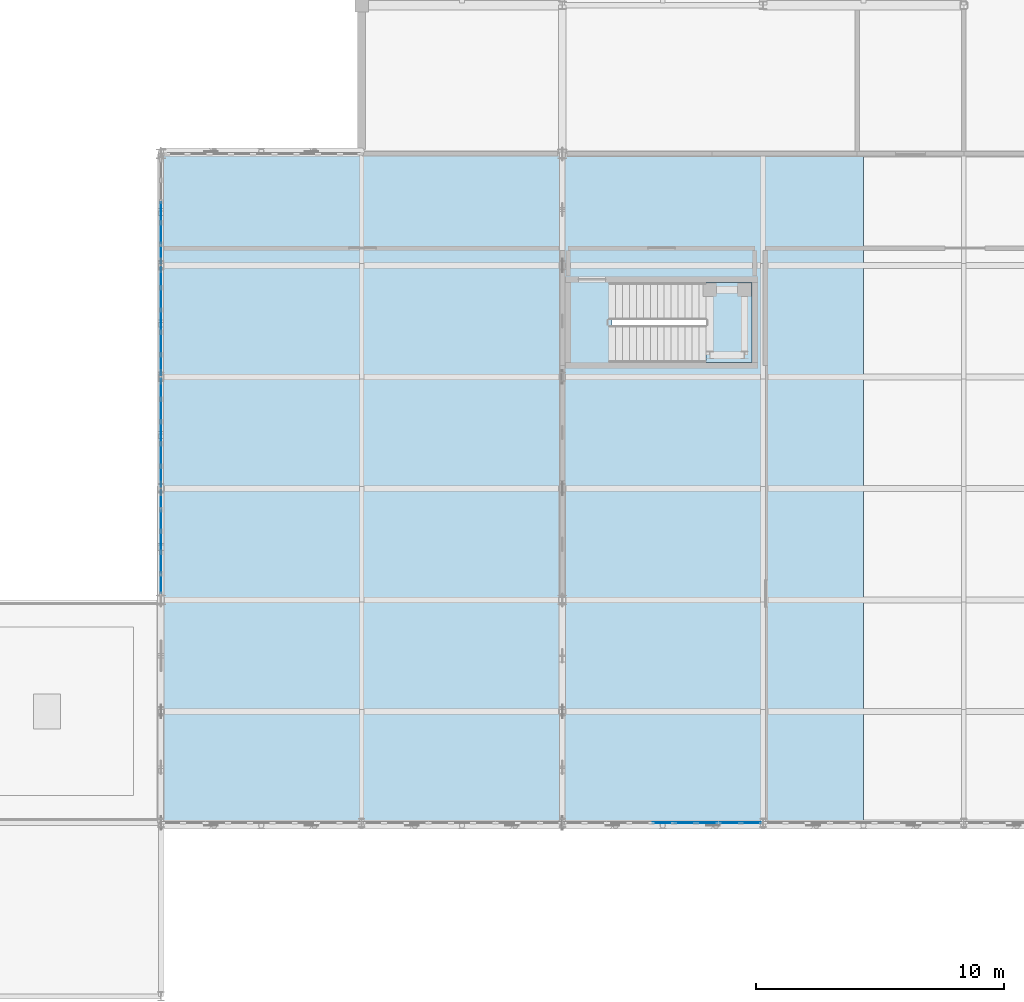
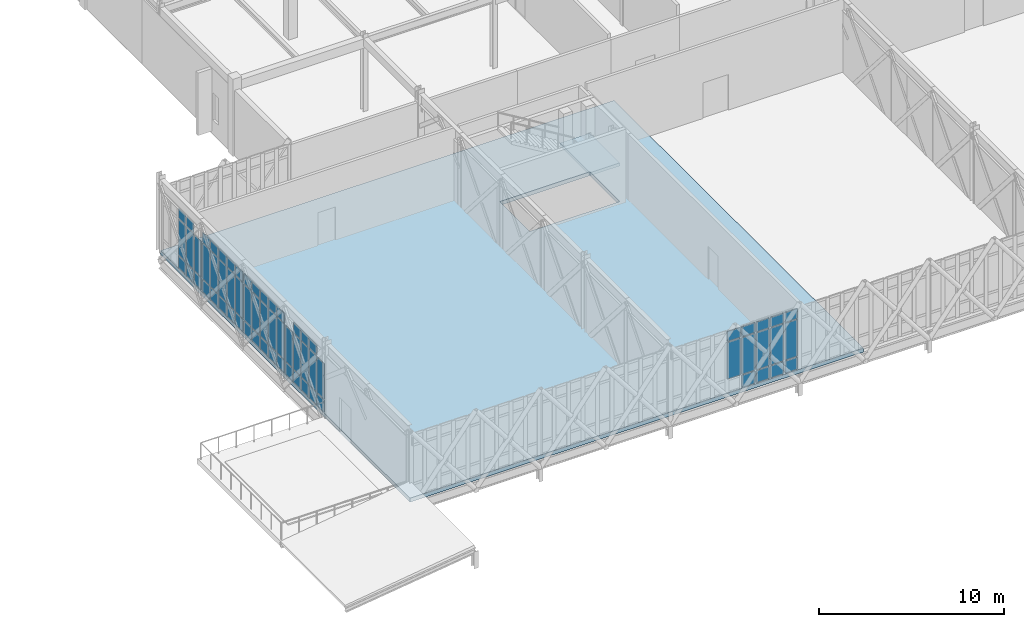
# One storey, part 65 of 107: 65 plates, 2 slabs, 6 elements without a shape of their own.
"""IFC4 building model written with IfcOpenShell, lengths in metres."""

import ifcopenshell
import ifcopenshell.guid

model = None  # the IFC model being written
_history = None  # IfcOwnerHistory: only IFC2X3 demands one
_inside = {}  # id of a spatial element -> (the spatial element, [elements in it])
_under = {}  # id of a project, library or spatial element -> (it, [spatial elements below it])
_declared = {}  # id of a project -> (the project, [libraries it declares])
_typed = {}  # id of a type object -> (the type object, [elements of that type])
_made_of = {}  # id of a material, layer set ... -> (it, [elements and type objects made of it])


def new_model(schema):
    """Start an empty IFC model of exactly this schema.

    Asked for "IFC4X3", IfcOpenShell would pick the latest addendum, in which some entities
    have other attributes; the version numbers below select the first issue.
    IFC2X3 requires an IfcOwnerHistory on every rooted entity: one is made here for all.
    """
    global model, _history
    if schema == "IFC4X3":
        model = ifcopenshell.file(schema_version=(4, 3, 0, 0))
    else:
        model = ifcopenshell.file(schema=schema)
    _inside.clear()
    _under.clear()
    _declared.clear()
    _typed.clear()
    _made_of.clear()
    _history = None
    if model.schema == "IFC2X3":
        org = make("IfcOrganization", Name="unknown")
        user = make(
            "IfcPersonAndOrganization",
            ThePerson=make("IfcPerson", FamilyName="unknown"),
            TheOrganization=org,
        )
        app = make(
            "IfcApplication",
            ApplicationDeveloper=org,
            Version="unknown",
            ApplicationFullName="unknown",
            ApplicationIdentifier="unknown",
        )
        _history = make(
            "IfcOwnerHistory",
            OwningUser=user,
            OwningApplication=app,
            ChangeAction="ADDED",
            CreationDate=0,
        )
    return model


def make(cls, **values):
    """One entity of the class cls with the attributes given. An attribute that is None is left unset."""
    return model.create_entity(
        cls, **{name: value for name, value in values.items() if value is not None}
    )


def rooted(cls, **values):
    """An entity with a GlobalId (a new one), such as an element, a storey or a relation."""
    return make(cls, GlobalId=ifcopenshell.guid.new(), OwnerHistory=_history, **values)


def si_unit(unit_type, name, prefix=None):
    """IfcSIUnit, for example si_unit("LENGTHUNIT", "METRE", prefix="MILLI")."""
    return make("IfcSIUnit", UnitType=unit_type, Prefix=prefix, Name=name)


def assignment(units):
    """IfcUnitAssignment: the units of a project."""
    return None if units is None else make("IfcUnitAssignment", Units=units)


def point(xyz):
    """IfcCartesianPoint."""
    return None if xyz is None else make("IfcCartesianPoint", Coordinates=xyz)


def direction(xyz):
    """IfcDirection."""
    return None if xyz is None else make("IfcDirection", DirectionRatios=xyz)


def frame(location, z_axis=None, x_axis=None):
    """IfcAxis2Placement3D, a coordinate frame: its origin and axes. An axis left out is left unset."""
    return make(
        "IfcAxis2Placement3D",
        Location=point(location),
        Axis=direction(z_axis),
        RefDirection=direction(x_axis),
    )


def frame_2d(location, x_axis=None):
    """IfcAxis2Placement2D, a coordinate frame in the plane: its origin and x axis."""
    return make(
        "IfcAxis2Placement2D", Location=point(location), RefDirection=direction(x_axis)
    )


def origin():
    """The frame at (0, 0, 0) with its axes left unset."""
    return frame((0.0, 0.0, 0.0))


def origin_2d():
    """The frame at (0, 0) in the plane with its x axis left unset."""
    return frame_2d((0.0, 0.0))


def place(relative_to, where):
    """IfcLocalPlacement: puts the frame where relative to a parent placement (None: the world)."""
    return make(
        "IfcLocalPlacement", PlacementRelTo=relative_to, RelativePlacement=where
    )


def context(
    kind, dimensions, precision=None, world=None, true_north=None, identifier=None
):
    """IfcGeometricRepresentationContext, for example the 3D "Model" context."""
    return make(
        "IfcGeometricRepresentationContext",
        ContextIdentifier=identifier,
        ContextType=kind,
        CoordinateSpaceDimension=dimensions,
        Precision=precision,
        WorldCoordinateSystem=world,
        TrueNorth=true_north,
    )


def subcontext(parent, identifier, kind, view, scale=None):
    """IfcGeometricRepresentationSubContext, for example "Body" below "Model"."""
    return make(
        "IfcGeometricRepresentationSubContext",
        ContextIdentifier=identifier,
        ContextType=kind,
        ParentContext=parent,
        TargetScale=scale,
        TargetView=view,
    )


def project(units=None, contexts=None):
    """IfcProject with its units and contexts."""
    return rooted(
        "IfcProject",
        Name="project",
        RepresentationContexts=contexts,
        UnitsInContext=assignment(units),
    )


def spatial(cls, under=None, at=None, **own):
    """A site, building, storey or space (cls), placed at a placement, below another one or the project."""
    s = rooted(cls, ObjectPlacement=at, **own)
    if under is not None:
        _under.setdefault(under.id(), (under, []))[1].append(s)
    return s


def polyline(points):
    """IfcPolyline through the points."""
    return make("IfcPolyline", Points=[point(p) for p in points])


def profile(cls, at=None, kind="AREA", **sizes):
    """A parametric profile (cls). Its sizes go by their IFC names, for example OverallWidth=200.0."""
    return make(cls, ProfileType=kind, Position=at, **sizes)


def rectangle(**sizes):
    """IfcRectangleProfileDef."""
    return profile("IfcRectangleProfileDef", **sizes)


def outline(outer, holes=None, kind="AREA"):
    """IfcArbitraryClosedProfileDef: a profile drawn as a closed curve; with holes, ...WithVoids."""
    if holes is None:
        return make("IfcArbitraryClosedProfileDef", ProfileType=kind, OuterCurve=outer)
    return make(
        "IfcArbitraryProfileDefWithVoids",
        ProfileType=kind,
        OuterCurve=outer,
        InnerCurves=holes,
    )


def extrude(swept, where, along, depth):
    """IfcExtrudedAreaSolid: the profile swept, set in the frame where, extruded along a direction by depth."""
    return make(
        "IfcExtrudedAreaSolid",
        SweptArea=swept,
        Position=where,
        ExtrudedDirection=direction(along),
        Depth=depth,
    )


def shape(context_of_items, identifier, shape_type, items):
    """IfcShapeRepresentation: the items that make up one representation, for example the "Body"."""
    return make(
        "IfcShapeRepresentation",
        ContextOfItems=context_of_items,
        RepresentationIdentifier=identifier,
        RepresentationType=shape_type,
        Items=items,
    )


def material(Name=None, Category=None):
    """IfcMaterial."""
    return make("IfcMaterial", Name=Name, Category=Category)


def layer(
    of_material, thickness, ventilated=None, Name=None, Category=None, Priority=None
):
    """IfcMaterialLayer: one layer of a wall or slab, of a material (None: an air gap)."""
    return make(
        "IfcMaterialLayer",
        Material=of_material,
        LayerThickness=thickness,
        IsVentilated=ventilated,
        Name=Name,
        Category=Category,
        Priority=Priority,
    )


def layer_set(layers, Name=None):
    """IfcMaterialLayerSet."""
    return make("IfcMaterialLayerSet", MaterialLayers=layers, LayerSetName=Name)


def made_of(thing, what):
    """Note that an element or type object is made of a material, layer set ...; save() writes the relation."""
    if what is not None:
        _made_of.setdefault(what.id(), (what, []))[1].append(thing)
    return thing


def type_object(cls, material=None, **own):
    """A type object (cls), such as IfcWallType, which elements share."""
    return made_of(rooted(cls, **own), material)


def element(
    cls,
    number,
    at=None,
    inside=None,
    cuts=None,
    type_object=None,
    material=None,
    context=None,
    identifier="Body",
    shape_type=None,
    held_by="IfcProductDefinitionShape",
    body=None,
    shapes=None,
    **own,
):
    """One element of the class cls, such as IfcWall. Its Tag is "e" and its number.

    at: its placement. inside: the storey or other place that contains it. cuts: it is an
    opening in that element (IfcRelVoidsElement). A single representation is given by context,
    identifier, shape_type and body (its items); several are given by shapes. held_by: the class
    of the entity that holds the representations. save() writes the other relations.
    """
    e = rooted(cls, Tag="e%d" % number, ObjectPlacement=at, **own)
    if body is not None:
        shapes = [shape(context, identifier, shape_type, body)]
    if shapes is not None:
        e.Representation = make(held_by, Representations=shapes)
    if inside is not None:
        _inside.setdefault(inside.id(), (inside, []))[1].append(e)
    if cuts is not None:
        rooted(
            "IfcRelVoidsElement", RelatingBuildingElement=cuts, RelatedOpeningElement=e
        )
    if type_object is not None:
        _typed.setdefault(type_object.id(), (type_object, []))[1].append(e)
    return made_of(e, material)


def aggregate(whole, parts):
    """IfcRelAggregates: a whole, such as a stair, and the parts it consists of."""
    return rooted("IfcRelAggregates", RelatingObject=whole, RelatedObjects=parts)


def save(model, path):
    """Write the relations noted so far, then the file.

    IfcRelAggregates (storeys below a building ...), IfcRelContainedInSpatialStructure (elements
    in a storey), IfcRelDefinesByType, IfcRelAssociatesMaterial and IfcRelDeclares: one each for
    every whole, place, type object, material and project.
    """
    for whole, parts in _under.values():
        aggregate(whole, parts)
    for where, things in _inside.values():
        rooted(
            "IfcRelContainedInSpatialStructure",
            RelatedElements=things,
            RelatingStructure=where,
        )
    for kind, things in _typed.values():
        rooted("IfcRelDefinesByType", RelatedObjects=things, RelatingType=kind)
    for what, things in _made_of.values():
        rooted("IfcRelAssociatesMaterial", RelatedObjects=things, RelatingMaterial=what)
    for by, libraries in _declared.values():
        rooted("IfcRelDeclares", RelatingContext=by, RelatedDefinitions=libraries)
    model.write(path)


model = new_model("IFC4")

# Units and contexts
model_context = context("Model", 3, precision=1e-05, world=origin(), true_north=direction((0.0, 1.0)))
body_context = subcontext(model_context, "Body", "Model", "MODEL_VIEW")
ifc_project = project(units=[si_unit("LENGTHUNIT", "METRE"), si_unit("AREAUNIT", "SQUARE_METRE"), si_unit("VOLUMEUNIT", "CUBIC_METRE"), si_unit("PLANEANGLEUNIT", "RADIAN"), si_unit("MASSUNIT", "GRAM", prefix="KILO")], contexts=[model_context])

# Site, building, storey
site_placement = place(None, origin())
site = spatial("IfcSite", under=ifc_project, at=site_placement, CompositionType="ELEMENT")
building_placement = place(site_placement, origin())
building = spatial("IfcBuilding", under=site, at=building_placement, Name="Tarnveldt Square Police Headquarters", CompositionType="ELEMENT")
storey_placement = place(building_placement, frame((0.0, 0.0, 14.699951171875)))
storey = spatial("IfcBuildingStorey", under=building, at=storey_placement, Name="L03", CompositionType="ELEMENT", Elevation=14.699951171875)

# Curtain wall, plates
ifc_material_1 = material(Name="UL 752 Level III laminated ballistic vision glass", Category="glass")
curtain_wall_type_1 = type_object("IfcCurtainWallType", Name="CW-BL-810x414", PredefinedType="USERDEFINED", material=ifc_material_1)
curtain_wall_1_placement = place(storey_placement, origin())
curtain_wall_1 = element("IfcCurtainWall", 1, at=curtain_wall_1_placement, inside=storey, type_object=curtain_wall_type_1, Name="L03 Curtain Wall CW-L03-025", ObjectType="BALLISTIC CURTAIN WALL", PredefinedType="USERDEFINED")
ifc_layer_1 = layer(ifc_material_1, 0.0380859375)
ifc_layer_set_1 = layer_set([ifc_layer_1], Name="UL 752 Level III laminated ballistic vision glass")
plate_type_1 = type_object("IfcPlateType", Name="CWP-BAL-38", PredefinedType="CURTAIN_PANEL", material=ifc_layer_set_1)
plate_1_placement = place(storey_placement, frame((28.35009765625, 7.0, 0.9375), z_axis=(0.0, 0.0, 1.0), x_axis=(1.0, 0.0, 0.0)))
plate_1 = element("IfcPlate", 2, at=plate_1_placement, type_object=plate_type_1, Name="CW-BL13 panel 5.2", PredefinedType="CURTAIN_PANEL", context=body_context, shape_type="SweptSolid", body=[
    extrude(rectangle(XDim=0.81494140625, YDim=0.0380859375, at=origin_2d()), origin(), (0.0, 0.0, 1.0), 2.4189453125),
])
plate_2_placement = place(storey_placement, frame((28.35009765625, 7.0, 3.431640625), z_axis=(0.0, 0.0, 1.0), x_axis=(1.0, 0.0, 0.0)))
plate_2 = element("IfcPlate", 3, at=plate_2_placement, type_object=plate_type_1, Name="CW-BL13 panel 5.3", PredefinedType="CURTAIN_PANEL", context=body_context, shape_type="SweptSolid", body=[
    extrude(rectangle(XDim=0.81494140625, YDim=0.0380859375, at=origin_2d()), origin(), (0.0, 0.0, 1.0), 0.637451171875),
])
plate_3_placement = place(storey_placement, frame((29.25, 7.0, 0.074951171875), z_axis=(0.0, 0.0, 1.0), x_axis=(1.0, 0.0, 0.0)))
plate_3 = element("IfcPlate", 4, at=plate_3_placement, type_object=plate_type_1, Name="CW-BL13 panel 6.1", PredefinedType="CURTAIN_PANEL", context=body_context, shape_type="SweptSolid", body=[
    extrude(rectangle(XDim=0.81494140625, YDim=0.0380859375, at=origin_2d()), origin(), (0.0, 0.0, 1.0), 0.78759765625),
])
plate_4_placement = place(storey_placement, frame((29.25, 7.0, 0.9375), z_axis=(0.0, 0.0, 1.0), x_axis=(1.0, 0.0, 0.0)))
plate_4 = element("IfcPlate", 5, at=plate_4_placement, type_object=plate_type_1, Name="CW-BL13 panel 6.2", PredefinedType="CURTAIN_PANEL", context=body_context, shape_type="SweptSolid", body=[
    extrude(rectangle(XDim=0.81494140625, YDim=0.0380859375, at=origin_2d()), origin(), (0.0, 0.0, 1.0), 2.4189453125),
])
plate_5_placement = place(storey_placement, frame((29.25, 7.0, 3.431640625), z_axis=(0.0, 0.0, 1.0), x_axis=(1.0, 0.0, 0.0)))
plate_5 = element("IfcPlate", 6, at=plate_5_placement, type_object=plate_type_1, Name="CW-BL13 panel 6.3", PredefinedType="CURTAIN_PANEL", context=body_context, shape_type="SweptSolid", body=[
    extrude(rectangle(XDim=0.81494140625, YDim=0.0380859375, at=origin_2d()), origin(), (0.0, 0.0, 1.0), 0.637451171875),
])
plate_6_placement = place(storey_placement, frame((30.14990234375, 7.0, 0.074951171875), z_axis=(0.0, 0.0, 1.0), x_axis=(1.0, 0.0, 0.0)))
plate_6 = element("IfcPlate", 7, at=plate_6_placement, type_object=plate_type_1, Name="CW-BL13 panel 7.1", PredefinedType="CURTAIN_PANEL", context=body_context, shape_type="SweptSolid", body=[
    extrude(rectangle(XDim=0.81494140625, YDim=0.0380859375, at=origin_2d()), origin(), (0.0, 0.0, 1.0), 0.78759765625),
])
plate_7_placement = place(storey_placement, frame((30.14990234375, 7.0, 0.9375), z_axis=(0.0, 0.0, 1.0), x_axis=(1.0, 0.0, 0.0)))
plate_7 = element("IfcPlate", 8, at=plate_7_placement, type_object=plate_type_1, Name="CW-BL13 panel 7.2", PredefinedType="CURTAIN_PANEL", context=body_context, shape_type="SweptSolid", body=[
    extrude(rectangle(XDim=0.81494140625, YDim=0.0380859375, at=origin_2d()), origin(), (0.0, 0.0, 1.0), 2.4189453125),
])
plate_8_placement = place(storey_placement, frame((30.14990234375, 7.0, 3.431640625), z_axis=(0.0, 0.0, 1.0), x_axis=(1.0, 0.0, 0.0)))
plate_8 = element("IfcPlate", 9, at=plate_8_placement, type_object=plate_type_1, Name="CW-BL13 panel 7.3", PredefinedType="CURTAIN_PANEL", context=body_context, shape_type="SweptSolid", body=[
    extrude(rectangle(XDim=0.81494140625, YDim=0.0380859375, at=origin_2d()), origin(), (0.0, 0.0, 1.0), 0.637451171875),
])
plate_9_placement = place(storey_placement, frame((31.050048828125, 7.0, 0.074951171875), z_axis=(0.0, 0.0, 1.0), x_axis=(1.0, 0.0, 0.0)))
plate_9 = element("IfcPlate", 10, at=plate_9_placement, type_object=plate_type_1, Name="CW-BL13 panel 8.1", PredefinedType="CURTAIN_PANEL", context=body_context, shape_type="SweptSolid", body=[
    extrude(rectangle(XDim=0.81494140625, YDim=0.0380859375, at=origin_2d()), origin(), (0.0, 0.0, 1.0), 0.78759765625),
])
plate_10_placement = place(storey_placement, frame((31.050048828125, 7.0, 0.9375), z_axis=(0.0, 0.0, 1.0), x_axis=(1.0, 0.0, 0.0)))
plate_10 = element("IfcPlate", 11, at=plate_10_placement, type_object=plate_type_1, Name="CW-BL13 panel 8.2", PredefinedType="CURTAIN_PANEL", context=body_context, shape_type="SweptSolid", body=[
    extrude(rectangle(XDim=0.81494140625, YDim=0.0380859375, at=origin_2d()), origin(), (0.0, 0.0, 1.0), 2.4189453125),
])
plate_11_placement = place(storey_placement, frame((31.050048828125, 7.0, 3.431640625), z_axis=(0.0, 0.0, 1.0), x_axis=(1.0, 0.0, 0.0)))
plate_11 = element("IfcPlate", 12, at=plate_11_placement, type_object=plate_type_1, Name="CW-BL13 panel 8.3", PredefinedType="CURTAIN_PANEL", context=body_context, shape_type="SweptSolid", body=[
    extrude(rectangle(XDim=0.81494140625, YDim=0.0380859375, at=origin_2d()), origin(), (0.0, 0.0, 1.0), 0.637451171875),
])
plate_12_placement = place(storey_placement, frame((31.9287109375, 7.0, 0.074951171875), z_axis=(0.0, 0.0, 1.0), x_axis=(1.0, 0.0, 0.0)))
plate_12 = element("IfcPlate", 13, at=plate_12_placement, type_object=plate_type_1, Name="CW-BL13 panel 9.1", PredefinedType="CURTAIN_PANEL", context=body_context, shape_type="SweptSolid", body=[
    extrude(rectangle(XDim=0.7724609375, YDim=0.0380859375, at=origin_2d()), origin(), (0.0, 0.0, 1.0), 0.78759765625),
])
plate_13_placement = place(storey_placement, frame((31.9287109375, 7.0, 0.9375), z_axis=(0.0, 0.0, 1.0), x_axis=(1.0, 0.0, 0.0)))
plate_13 = element("IfcPlate", 14, at=plate_13_placement, type_object=plate_type_1, Name="CW-BL13 panel 9.2", PredefinedType="CURTAIN_PANEL", context=body_context, shape_type="SweptSolid", body=[
    extrude(rectangle(XDim=0.7724609375, YDim=0.0380859375, at=origin_2d()), origin(), (0.0, 0.0, 1.0), 2.4189453125),
])
plate_14_placement = place(storey_placement, frame((31.9287109375, 7.0, 3.431640625), z_axis=(0.0, 0.0, 1.0), x_axis=(1.0, 0.0, 0.0)))
plate_14 = element("IfcPlate", 15, at=plate_14_placement, type_object=plate_type_1, Name="CW-BL13 panel 9.3", PredefinedType="CURTAIN_PANEL", context=body_context, shape_type="SweptSolid", body=[
    extrude(rectangle(XDim=0.7724609375, YDim=0.0380859375, at=origin_2d()), origin(), (0.0, 0.0, 1.0), 0.637451171875),
])
aggregate(curtain_wall_1, [plate_1, plate_2, plate_3, plate_4, plate_5, plate_6, plate_7, plate_8, plate_9, plate_10, plate_11, plate_12, plate_13, plate_14])

ifc_material_2 = material(Name="Triple-glazed low-e laminated vision glass", Category="glass")
curtain_wall_type_2 = type_object("IfcCurtainWallType", Name="CW-LT-430x407", PredefinedType="USERDEFINED", material=ifc_material_2)
curtain_wall_2_placement = place(storey_placement, origin())
curtain_wall_2 = element("IfcCurtainWall", 16, at=curtain_wall_2_placement, inside=storey, type_object=curtain_wall_type_2, Name="L03 Curtain Wall CW-L03-033", ObjectType="GLAZED CURTAIN WALL", PredefinedType="USERDEFINED")
ifc_layer_2 = layer(ifc_material_2, 0.028076171875)
ifc_layer_set_2 = layer_set([ifc_layer_2], Name="Triple-glazed low-e laminated vision glass")
plate_type_2 = type_object("IfcPlateType", Name="CWP-VIS-28", PredefinedType="CURTAIN_PANEL", material=ifc_layer_set_2)
plate_15_placement = place(storey_placement, frame((8.10009765625, 16.650634765625, 0.074951171875), z_axis=(0.0, 0.0, 1.0), x_axis=(0.0, 1.0, 0.0)))
plate_15 = element("IfcPlate", 17, at=plate_15_placement, type_object=plate_type_2, Name="CW-LT15 panel 1.1", PredefinedType="CURTAIN_PANEL", context=body_context, shape_type="SweptSolid", body=[
    extrude(rectangle(XDim=0.7470703125, YDim=0.028076171875, at=origin_2d()), origin(), (0.0, 0.0, 1.0), 0.78759765625),
])
plate_16_placement = place(storey_placement, frame((8.10009765625, 16.650634765625, 0.9375), z_axis=(0.0, 0.0, 1.0), x_axis=(0.0, 1.0, 0.0)))
plate_16 = element("IfcPlate", 18, at=plate_16_placement, type_object=plate_type_2, Name="CW-LT15 panel 1.2", PredefinedType="CURTAIN_PANEL", context=body_context, shape_type="SweptSolid", body=[
    extrude(rectangle(XDim=0.7470703125, YDim=0.028076171875, at=origin_2d()), origin(), (0.0, 0.0, 1.0), 2.341064453125),
])
plate_17_placement = place(storey_placement, frame((8.10009765625, 17.491455078125, 0.074951171875), z_axis=(0.0, 0.0, 1.0), x_axis=(0.0, 1.0, 0.0)))
plate_17 = element("IfcPlate", 19, at=plate_17_placement, type_object=plate_type_2, Name="CW-LT15 panel 2.1", PredefinedType="CURTAIN_PANEL", context=body_context, shape_type="SweptSolid", body=[
    extrude(rectangle(XDim=0.78466796875, YDim=0.028076171875, at=origin_2d()), origin(), (0.0, 0.0, 1.0), 0.78759765625),
])
plate_18_placement = place(storey_placement, frame((8.10009765625, 17.491455078125, 0.9375), z_axis=(0.0, 0.0, 1.0), x_axis=(0.0, 1.0, 0.0)))
plate_18 = element("IfcPlate", 20, at=plate_18_placement, type_object=plate_type_2, Name="CW-LT15 panel 2.2", PredefinedType="CURTAIN_PANEL", context=body_context, shape_type="SweptSolid", body=[
    extrude(rectangle(XDim=0.78466796875, YDim=0.028076171875, at=origin_2d()), origin(), (0.0, 0.0, 1.0), 2.341064453125),
])
plate_19_placement = place(storey_placement, frame((8.10009765625, 17.491455078125, 3.353515625), z_axis=(0.0, 0.0, 1.0), x_axis=(0.0, 1.0, 0.0)))
plate_19 = element("IfcPlate", 21, at=plate_19_placement, type_object=plate_type_2, Name="CW-LT15 panel 2.3", PredefinedType="CURTAIN_PANEL", context=body_context, shape_type="SweptSolid", body=[
    extrude(rectangle(XDim=0.78466796875, YDim=0.028076171875, at=origin_2d()), origin(), (0.0, 0.0, 1.0), 0.637451171875),
])
plate_20_placement = place(storey_placement, frame((8.10009765625, 18.35107421875, 0.074951171875), z_axis=(0.0, 0.0, 1.0), x_axis=(0.0, 1.0, 0.0)))
plate_20 = element("IfcPlate", 22, at=plate_20_placement, type_object=plate_type_2, Name="CW-LT15 panel 3.1", PredefinedType="CURTAIN_PANEL", context=body_context, shape_type="SweptSolid", body=[
    extrude(rectangle(XDim=0.78466796875, YDim=0.028076171875, at=origin_2d()), origin(), (0.0, 0.0, 1.0), 0.78759765625),
])
plate_21_placement = place(storey_placement, frame((8.10009765625, 18.35107421875, 0.9375), z_axis=(0.0, 0.0, 1.0), x_axis=(0.0, 1.0, 0.0)))
plate_21 = element("IfcPlate", 23, at=plate_21_placement, type_object=plate_type_2, Name="CW-LT15 panel 3.2", PredefinedType="CURTAIN_PANEL", context=body_context, shape_type="SweptSolid", body=[
    extrude(rectangle(XDim=0.78466796875, YDim=0.028076171875, at=origin_2d()), origin(), (0.0, 0.0, 1.0), 2.341064453125),
])
plate_22_placement = place(storey_placement, frame((8.10009765625, 18.35107421875, 3.353515625), z_axis=(0.0, 0.0, 1.0), x_axis=(0.0, 1.0, 0.0)))
plate_22 = element("IfcPlate", 24, at=plate_22_placement, type_object=plate_type_2, Name="CW-LT15 panel 3.3", PredefinedType="CURTAIN_PANEL", context=body_context, shape_type="SweptSolid", body=[
    extrude(rectangle(XDim=0.78466796875, YDim=0.028076171875, at=origin_2d()), origin(), (0.0, 0.0, 1.0), 0.637451171875),
])
plate_23_placement = place(storey_placement, frame((8.10009765625, 19.210693359375, 0.074951171875), z_axis=(0.0, 0.0, 1.0), x_axis=(0.0, 1.0, 0.0)))
plate_23 = element("IfcPlate", 25, at=plate_23_placement, type_object=plate_type_2, Name="CW-LT15 panel 4.1", PredefinedType="CURTAIN_PANEL", context=body_context, shape_type="SweptSolid", body=[
    extrude(rectangle(XDim=0.78466796875, YDim=0.028076171875, at=origin_2d()), origin(), (0.0, 0.0, 1.0), 0.78759765625),
])
plate_24_placement = place(storey_placement, frame((8.10009765625, 19.210693359375, 0.9375), z_axis=(0.0, 0.0, 1.0), x_axis=(0.0, 1.0, 0.0)))
plate_24 = element("IfcPlate", 26, at=plate_24_placement, type_object=plate_type_2, Name="CW-LT15 panel 4.2", PredefinedType="CURTAIN_PANEL", context=body_context, shape_type="SweptSolid", body=[
    extrude(rectangle(XDim=0.78466796875, YDim=0.028076171875, at=origin_2d()), origin(), (0.0, 0.0, 1.0), 2.341064453125),
])
plate_25_placement = place(storey_placement, frame((8.10009765625, 19.210693359375, 3.353515625), z_axis=(0.0, 0.0, 1.0), x_axis=(0.0, 1.0, 0.0)))
plate_25 = element("IfcPlate", 27, at=plate_25_placement, type_object=plate_type_2, Name="CW-LT15 panel 4.3", PredefinedType="CURTAIN_PANEL", context=body_context, shape_type="SweptSolid", body=[
    extrude(rectangle(XDim=0.78466796875, YDim=0.028076171875, at=origin_2d()), origin(), (0.0, 0.0, 1.0), 0.637451171875),
])
plate_26_placement = place(storey_placement, frame((8.10009765625, 20.051513671875, 0.074951171875), z_axis=(0.0, 0.0, 1.0), x_axis=(0.0, 1.0, 0.0)))
plate_26 = element("IfcPlate", 28, at=plate_26_placement, type_object=plate_type_2, Name="CW-LT15 panel 5.1", PredefinedType="CURTAIN_PANEL", context=body_context, shape_type="SweptSolid", body=[
    extrude(rectangle(XDim=0.7470703125, YDim=0.028076171875, at=origin_2d()), origin(), (0.0, 0.0, 1.0), 0.78759765625),
])
plate_27_placement = place(storey_placement, frame((8.10009765625, 20.051513671875, 0.9375), z_axis=(0.0, 0.0, 1.0), x_axis=(0.0, 1.0, 0.0)))
plate_27 = element("IfcPlate", 29, at=plate_27_placement, type_object=plate_type_2, Name="CW-LT15 panel 5.2", PredefinedType="CURTAIN_PANEL", context=body_context, shape_type="SweptSolid", body=[
    extrude(rectangle(XDim=0.7470703125, YDim=0.028076171875, at=origin_2d()), origin(), (0.0, 0.0, 1.0), 2.341064453125),
])
aggregate(curtain_wall_2, [plate_15, plate_16, plate_17, plate_18, plate_19, plate_20, plate_21, plate_22, plate_23, plate_24, plate_25, plate_26, plate_27])

curtain_wall_type_3 = type_object("IfcCurtainWallType", Name="CW-LT-450x407", PredefinedType="USERDEFINED", material=ifc_material_2)
curtain_wall_3_placement = place(storey_placement, origin())
curtain_wall_3 = element("IfcCurtainWall", 30, at=curtain_wall_3_placement, inside=storey, type_object=curtain_wall_type_3, Name="L03 Curtain Wall CW-L03-034", ObjectType="GLAZED CURTAIN WALL", PredefinedType="USERDEFINED")
plate_28_placement = place(storey_placement, frame((8.10009765625, 20.96875, 0.074951171875), z_axis=(0.0, 0.0, 1.0), x_axis=(0.0, 1.0, 0.0)))
plate_28 = element("IfcPlate", 31, at=plate_28_placement, type_object=plate_type_2, Name="CW-LT16 panel 1.1", PredefinedType="CURTAIN_PANEL", context=body_context, shape_type="SweptSolid", body=[
    extrude(rectangle(XDim=0.78759765625, YDim=0.028076171875, at=origin_2d()), origin(), (0.0, 0.0, 1.0), 0.78759765625),
])
plate_29_placement = place(storey_placement, frame((8.10009765625, 20.96875, 0.9375), z_axis=(0.0, 0.0, 1.0), x_axis=(0.0, 1.0, 0.0)))
plate_29 = element("IfcPlate", 32, at=plate_29_placement, type_object=plate_type_2, Name="CW-LT16 panel 1.2", PredefinedType="CURTAIN_PANEL", context=body_context, shape_type="SweptSolid", body=[
    extrude(rectangle(XDim=0.78759765625, YDim=0.028076171875, at=origin_2d()), origin(), (0.0, 0.0, 1.0), 2.341064453125),
])
plate_30_placement = place(storey_placement, frame((8.10009765625, 20.96875, 3.353515625), z_axis=(0.0, 0.0, 1.0), x_axis=(0.0, 1.0, 0.0)))
plate_30 = element("IfcPlate", 33, at=plate_30_placement, type_object=plate_type_2, Name="CW-LT16 panel 1.3", PredefinedType="CURTAIN_PANEL", context=body_context, shape_type="SweptSolid", body=[
    extrude(rectangle(XDim=0.78759765625, YDim=0.028076171875, at=origin_2d()), origin(), (0.0, 0.0, 1.0), 0.637451171875),
])
plate_31_placement = place(storey_placement, frame((8.10009765625, 21.85009765625, 0.074951171875), z_axis=(0.0, 0.0, 1.0), x_axis=(0.0, 1.0, 0.0)))
plate_31 = element("IfcPlate", 34, at=plate_31_placement, type_object=plate_type_2, Name="CW-LT16 panel 2.1", PredefinedType="CURTAIN_PANEL", context=body_context, shape_type="SweptSolid", body=[
    extrude(rectangle(XDim=0.824951171875, YDim=0.028076171875, at=origin_2d()), origin(), (0.0, 0.0, 1.0), 0.78759765625),
])
plate_32_placement = place(storey_placement, frame((8.10009765625, 21.85009765625, 0.9375), z_axis=(0.0, 0.0, 1.0), x_axis=(0.0, 1.0, 0.0)))
plate_32 = element("IfcPlate", 35, at=plate_32_placement, type_object=plate_type_2, Name="CW-LT16 panel 2.2", PredefinedType="CURTAIN_PANEL", context=body_context, shape_type="SweptSolid", body=[
    extrude(rectangle(XDim=0.824951171875, YDim=0.028076171875, at=origin_2d()), origin(), (0.0, 0.0, 1.0), 2.341064453125),
])
plate_33_placement = place(storey_placement, frame((8.10009765625, 21.85009765625, 3.353515625), z_axis=(0.0, 0.0, 1.0), x_axis=(0.0, 1.0, 0.0)))
plate_33 = element("IfcPlate", 36, at=plate_33_placement, type_object=plate_type_2, Name="CW-LT16 panel 2.3", PredefinedType="CURTAIN_PANEL", context=body_context, shape_type="SweptSolid", body=[
    extrude(rectangle(XDim=0.824951171875, YDim=0.028076171875, at=origin_2d()), origin(), (0.0, 0.0, 1.0), 0.637451171875),
])
plate_34_placement = place(storey_placement, frame((8.10009765625, 22.75, 0.074951171875), z_axis=(0.0, 0.0, 1.0), x_axis=(0.0, 1.0, 0.0)))
plate_34 = element("IfcPlate", 37, at=plate_34_placement, type_object=plate_type_2, Name="CW-LT16 panel 3.1", PredefinedType="CURTAIN_PANEL", context=body_context, shape_type="SweptSolid", body=[
    extrude(rectangle(XDim=0.824951171875, YDim=0.028076171875, at=origin_2d()), origin(), (0.0, 0.0, 1.0), 0.78759765625),
])
plate_35_placement = place(storey_placement, frame((8.10009765625, 22.75, 0.9375), z_axis=(0.0, 0.0, 1.0), x_axis=(0.0, 1.0, 0.0)))
plate_35 = element("IfcPlate", 38, at=plate_35_placement, type_object=plate_type_2, Name="CW-LT16 panel 3.2", PredefinedType="CURTAIN_PANEL", context=body_context, shape_type="SweptSolid", body=[
    extrude(rectangle(XDim=0.824951171875, YDim=0.028076171875, at=origin_2d()), origin(), (0.0, 0.0, 1.0), 2.341064453125),
])
plate_36_placement = place(storey_placement, frame((8.10009765625, 22.75, 3.353515625), z_axis=(0.0, 0.0, 1.0), x_axis=(0.0, 1.0, 0.0)))
plate_36 = element("IfcPlate", 39, at=plate_36_placement, type_object=plate_type_2, Name="CW-LT16 panel 3.3", PredefinedType="CURTAIN_PANEL", context=body_context, shape_type="SweptSolid", body=[
    extrude(rectangle(XDim=0.824951171875, YDim=0.028076171875, at=origin_2d()), origin(), (0.0, 0.0, 1.0), 0.637451171875),
])
plate_37_placement = place(storey_placement, frame((8.10009765625, 23.64990234375, 0.074951171875), z_axis=(0.0, 0.0, 1.0), x_axis=(0.0, 1.0, 0.0)))
plate_37 = element("IfcPlate", 40, at=plate_37_placement, type_object=plate_type_2, Name="CW-LT16 panel 4.1", PredefinedType="CURTAIN_PANEL", context=body_context, shape_type="SweptSolid", body=[
    extrude(rectangle(XDim=0.824951171875, YDim=0.028076171875, at=origin_2d()), origin(), (0.0, 0.0, 1.0), 0.78759765625),
])
plate_38_placement = place(storey_placement, frame((8.10009765625, 23.64990234375, 0.9375), z_axis=(0.0, 0.0, 1.0), x_axis=(0.0, 1.0, 0.0)))
plate_38 = element("IfcPlate", 41, at=plate_38_placement, type_object=plate_type_2, Name="CW-LT16 panel 4.2", PredefinedType="CURTAIN_PANEL", context=body_context, shape_type="SweptSolid", body=[
    extrude(rectangle(XDim=0.824951171875, YDim=0.028076171875, at=origin_2d()), origin(), (0.0, 0.0, 1.0), 2.341064453125),
])
plate_39_placement = place(storey_placement, frame((8.10009765625, 23.64990234375, 3.353515625), z_axis=(0.0, 0.0, 1.0), x_axis=(0.0, 1.0, 0.0)))
plate_39 = element("IfcPlate", 42, at=plate_39_placement, type_object=plate_type_2, Name="CW-LT16 panel 4.3", PredefinedType="CURTAIN_PANEL", context=body_context, shape_type="SweptSolid", body=[
    extrude(rectangle(XDim=0.824951171875, YDim=0.028076171875, at=origin_2d()), origin(), (0.0, 0.0, 1.0), 0.637451171875),
])
plate_40_placement = place(storey_placement, frame((8.10009765625, 24.53125, 0.074951171875), z_axis=(0.0, 0.0, 1.0), x_axis=(0.0, 1.0, 0.0)))
plate_40 = element("IfcPlate", 43, at=plate_40_placement, type_object=plate_type_2, Name="CW-LT16 panel 5.1", PredefinedType="CURTAIN_PANEL", context=body_context, shape_type="SweptSolid", body=[
    extrude(rectangle(XDim=0.78759765625, YDim=0.028076171875, at=origin_2d()), origin(), (0.0, 0.0, 1.0), 0.78759765625),
])
plate_41_placement = place(storey_placement, frame((8.10009765625, 24.53125, 0.9375), z_axis=(0.0, 0.0, 1.0), x_axis=(0.0, 1.0, 0.0)))
plate_41 = element("IfcPlate", 44, at=plate_41_placement, type_object=plate_type_2, Name="CW-LT16 panel 5.2", PredefinedType="CURTAIN_PANEL", context=body_context, shape_type="SweptSolid", body=[
    extrude(rectangle(XDim=0.78759765625, YDim=0.028076171875, at=origin_2d()), origin(), (0.0, 0.0, 1.0), 2.341064453125),
])
plate_42_placement = place(storey_placement, frame((8.10009765625, 24.53125, 3.353515625), z_axis=(0.0, 0.0, 1.0), x_axis=(0.0, 1.0, 0.0)))
plate_42 = element("IfcPlate", 45, at=plate_42_placement, type_object=plate_type_2, Name="CW-LT16 panel 5.3", PredefinedType="CURTAIN_PANEL", context=body_context, shape_type="SweptSolid", body=[
    extrude(rectangle(XDim=0.78759765625, YDim=0.028076171875, at=origin_2d()), origin(), (0.0, 0.0, 1.0), 0.637451171875),
])
aggregate(curtain_wall_3, [plate_28, plate_29, plate_30, plate_31, plate_32, plate_33, plate_34, plate_35, plate_36, plate_37, plate_38, plate_39, plate_40, plate_41, plate_42])

curtain_wall_4_placement = place(storey_placement, origin())
curtain_wall_4 = element("IfcCurtainWall", 46, at=curtain_wall_4_placement, inside=storey, type_object=curtain_wall_type_3, Name="L03 Curtain Wall CW-L03-035", ObjectType="GLAZED CURTAIN WALL", PredefinedType="USERDEFINED")
plate_43_placement = place(storey_placement, frame((8.10009765625, 25.46875, 0.074951171875), z_axis=(0.0, 0.0, 1.0), x_axis=(0.0, 1.0, 0.0)))
plate_43 = element("IfcPlate", 47, at=plate_43_placement, type_object=plate_type_2, Name="CW-LT16 panel 1.1", PredefinedType="CURTAIN_PANEL", context=body_context, shape_type="SweptSolid", body=[
    extrude(rectangle(XDim=0.78759765625, YDim=0.028076171875, at=origin_2d()), origin(), (0.0, 0.0, 1.0), 0.78759765625),
])
plate_44_placement = place(storey_placement, frame((8.10009765625, 25.46875, 0.9375), z_axis=(0.0, 0.0, 1.0), x_axis=(0.0, 1.0, 0.0)))
plate_44 = element("IfcPlate", 48, at=plate_44_placement, type_object=plate_type_2, Name="CW-LT16 panel 1.2", PredefinedType="CURTAIN_PANEL", context=body_context, shape_type="SweptSolid", body=[
    extrude(rectangle(XDim=0.78759765625, YDim=0.028076171875, at=origin_2d()), origin(), (0.0, 0.0, 1.0), 2.341064453125),
])
plate_45_placement = place(storey_placement, frame((8.10009765625, 25.46875, 3.353515625), z_axis=(0.0, 0.0, 1.0), x_axis=(0.0, 1.0, 0.0)))
plate_45 = element("IfcPlate", 49, at=plate_45_placement, type_object=plate_type_2, Name="CW-LT16 panel 1.3", PredefinedType="CURTAIN_PANEL", context=body_context, shape_type="SweptSolid", body=[
    extrude(rectangle(XDim=0.78759765625, YDim=0.028076171875, at=origin_2d()), origin(), (0.0, 0.0, 1.0), 0.637451171875),
])
plate_46_placement = place(storey_placement, frame((8.10009765625, 26.35009765625, 0.074951171875), z_axis=(0.0, 0.0, 1.0), x_axis=(0.0, 1.0, 0.0)))
plate_46 = element("IfcPlate", 50, at=plate_46_placement, type_object=plate_type_2, Name="CW-LT16 panel 2.1", PredefinedType="CURTAIN_PANEL", context=body_context, shape_type="SweptSolid", body=[
    extrude(rectangle(XDim=0.824951171875, YDim=0.028076171875, at=origin_2d()), origin(), (0.0, 0.0, 1.0), 0.78759765625),
])
plate_47_placement = place(storey_placement, frame((8.10009765625, 26.35009765625, 0.9375), z_axis=(0.0, 0.0, 1.0), x_axis=(0.0, 1.0, 0.0)))
plate_47 = element("IfcPlate", 51, at=plate_47_placement, type_object=plate_type_2, Name="CW-LT16 panel 2.2", PredefinedType="CURTAIN_PANEL", context=body_context, shape_type="SweptSolid", body=[
    extrude(rectangle(XDim=0.824951171875, YDim=0.028076171875, at=origin_2d()), origin(), (0.0, 0.0, 1.0), 2.341064453125),
])
plate_48_placement = place(storey_placement, frame((8.10009765625, 26.35009765625, 3.353515625), z_axis=(0.0, 0.0, 1.0), x_axis=(0.0, 1.0, 0.0)))
plate_48 = element("IfcPlate", 52, at=plate_48_placement, type_object=plate_type_2, Name="CW-LT16 panel 2.3", PredefinedType="CURTAIN_PANEL", context=body_context, shape_type="SweptSolid", body=[
    extrude(rectangle(XDim=0.824951171875, YDim=0.028076171875, at=origin_2d()), origin(), (0.0, 0.0, 1.0), 0.637451171875),
])
plate_49_placement = place(storey_placement, frame((8.10009765625, 27.25, 0.074951171875), z_axis=(0.0, 0.0, 1.0), x_axis=(0.0, 1.0, 0.0)))
plate_49 = element("IfcPlate", 53, at=plate_49_placement, type_object=plate_type_2, Name="CW-LT16 panel 3.1", PredefinedType="CURTAIN_PANEL", context=body_context, shape_type="SweptSolid", body=[
    extrude(rectangle(XDim=0.824951171875, YDim=0.028076171875, at=origin_2d()), origin(), (0.0, 0.0, 1.0), 0.78759765625),
])
plate_50_placement = place(storey_placement, frame((8.10009765625, 27.25, 0.9375), z_axis=(0.0, 0.0, 1.0), x_axis=(0.0, 1.0, 0.0)))
plate_50 = element("IfcPlate", 54, at=plate_50_placement, type_object=plate_type_2, Name="CW-LT16 panel 3.2", PredefinedType="CURTAIN_PANEL", context=body_context, shape_type="SweptSolid", body=[
    extrude(rectangle(XDim=0.824951171875, YDim=0.028076171875, at=origin_2d()), origin(), (0.0, 0.0, 1.0), 2.341064453125),
])
plate_51_placement = place(storey_placement, frame((8.10009765625, 27.25, 3.353515625), z_axis=(0.0, 0.0, 1.0), x_axis=(0.0, 1.0, 0.0)))
plate_51 = element("IfcPlate", 55, at=plate_51_placement, type_object=plate_type_2, Name="CW-LT16 panel 3.3", PredefinedType="CURTAIN_PANEL", context=body_context, shape_type="SweptSolid", body=[
    extrude(rectangle(XDim=0.824951171875, YDim=0.028076171875, at=origin_2d()), origin(), (0.0, 0.0, 1.0), 0.637451171875),
])
plate_52_placement = place(storey_placement, frame((8.10009765625, 28.14990234375, 0.074951171875), z_axis=(0.0, 0.0, 1.0), x_axis=(0.0, 1.0, 0.0)))
plate_52 = element("IfcPlate", 56, at=plate_52_placement, type_object=plate_type_2, Name="CW-LT16 panel 4.1", PredefinedType="CURTAIN_PANEL", context=body_context, shape_type="SweptSolid", body=[
    extrude(rectangle(XDim=0.824951171875, YDim=0.028076171875, at=origin_2d()), origin(), (0.0, 0.0, 1.0), 0.78759765625),
])
plate_53_placement = place(storey_placement, frame((8.10009765625, 28.14990234375, 0.9375), z_axis=(0.0, 0.0, 1.0), x_axis=(0.0, 1.0, 0.0)))
plate_53 = element("IfcPlate", 57, at=plate_53_placement, type_object=plate_type_2, Name="CW-LT16 panel 4.2", PredefinedType="CURTAIN_PANEL", context=body_context, shape_type="SweptSolid", body=[
    extrude(rectangle(XDim=0.824951171875, YDim=0.028076171875, at=origin_2d()), origin(), (0.0, 0.0, 1.0), 2.341064453125),
])
plate_54_placement = place(storey_placement, frame((8.10009765625, 28.14990234375, 3.353515625), z_axis=(0.0, 0.0, 1.0), x_axis=(0.0, 1.0, 0.0)))
plate_54 = element("IfcPlate", 58, at=plate_54_placement, type_object=plate_type_2, Name="CW-LT16 panel 4.3", PredefinedType="CURTAIN_PANEL", context=body_context, shape_type="SweptSolid", body=[
    extrude(rectangle(XDim=0.824951171875, YDim=0.028076171875, at=origin_2d()), origin(), (0.0, 0.0, 1.0), 0.637451171875),
])
plate_55_placement = place(storey_placement, frame((8.10009765625, 29.03125, 0.074951171875), z_axis=(0.0, 0.0, 1.0), x_axis=(0.0, 1.0, 0.0)))
plate_55 = element("IfcPlate", 59, at=plate_55_placement, type_object=plate_type_2, Name="CW-LT16 panel 5.1", PredefinedType="CURTAIN_PANEL", context=body_context, shape_type="SweptSolid", body=[
    extrude(rectangle(XDim=0.78759765625, YDim=0.028076171875, at=origin_2d()), origin(), (0.0, 0.0, 1.0), 0.78759765625),
])
plate_56_placement = place(storey_placement, frame((8.10009765625, 29.03125, 0.9375), z_axis=(0.0, 0.0, 1.0), x_axis=(0.0, 1.0, 0.0)))
plate_56 = element("IfcPlate", 60, at=plate_56_placement, type_object=plate_type_2, Name="CW-LT16 panel 5.2", PredefinedType="CURTAIN_PANEL", context=body_context, shape_type="SweptSolid", body=[
    extrude(rectangle(XDim=0.78759765625, YDim=0.028076171875, at=origin_2d()), origin(), (0.0, 0.0, 1.0), 2.341064453125),
])
plate_57_placement = place(storey_placement, frame((8.10009765625, 29.03125, 3.353515625), z_axis=(0.0, 0.0, 1.0), x_axis=(0.0, 1.0, 0.0)))
plate_57 = element("IfcPlate", 61, at=plate_57_placement, type_object=plate_type_2, Name="CW-LT16 panel 5.3", PredefinedType="CURTAIN_PANEL", context=body_context, shape_type="SweptSolid", body=[
    extrude(rectangle(XDim=0.78759765625, YDim=0.028076171875, at=origin_2d()), origin(), (0.0, 0.0, 1.0), 0.637451171875),
])
aggregate(curtain_wall_4, [plate_43, plate_44, plate_45, plate_46, plate_47, plate_48, plate_49, plate_50, plate_51, plate_52, plate_53, plate_54, plate_55, plate_56, plate_57])

curtain_wall_5_placement = place(storey_placement, origin())
curtain_wall_5 = element("IfcCurtainWall", 62, at=curtain_wall_5_placement, inside=storey, type_object=curtain_wall_type_2, Name="L03 Curtain Wall CW-L03-036", ObjectType="GLAZED CURTAIN WALL", PredefinedType="USERDEFINED")
plate_58_placement = place(storey_placement, frame((8.10009765625, 29.948486328125, 0.074951171875), z_axis=(0.0, 0.0, 1.0), x_axis=(0.0, 1.0, 0.0)))
plate_58 = element("IfcPlate", 63, at=plate_58_placement, type_object=plate_type_2, Name="CW-LT15 panel 1.1", PredefinedType="CURTAIN_PANEL", context=body_context, shape_type="SweptSolid", body=[
    extrude(rectangle(XDim=0.7470703125, YDim=0.028076171875, at=origin_2d()), origin(), (0.0, 0.0, 1.0), 0.78759765625),
])
plate_59_placement = place(storey_placement, frame((8.10009765625, 29.948486328125, 0.9375), z_axis=(0.0, 0.0, 1.0), x_axis=(0.0, 1.0, 0.0)))
plate_59 = element("IfcPlate", 64, at=plate_59_placement, type_object=plate_type_2, Name="CW-LT15 panel 1.2", PredefinedType="CURTAIN_PANEL", context=body_context, shape_type="SweptSolid", body=[
    extrude(rectangle(XDim=0.7470703125, YDim=0.028076171875, at=origin_2d()), origin(), (0.0, 0.0, 1.0), 2.341064453125),
])
plate_60_placement = place(storey_placement, frame((8.10009765625, 30.789306640625, 0.074951171875), z_axis=(0.0, 0.0, 1.0), x_axis=(0.0, 1.0, 0.0)))
plate_60 = element("IfcPlate", 65, at=plate_60_placement, type_object=plate_type_2, Name="CW-LT15 panel 2.1", PredefinedType="CURTAIN_PANEL", context=body_context, shape_type="SweptSolid", body=[
    extrude(rectangle(XDim=0.78466796875, YDim=0.028076171875, at=origin_2d()), origin(), (0.0, 0.0, 1.0), 0.78759765625),
])
plate_61_placement = place(storey_placement, frame((8.10009765625, 30.789306640625, 0.9375), z_axis=(0.0, 0.0, 1.0), x_axis=(0.0, 1.0, 0.0)))
plate_61 = element("IfcPlate", 66, at=plate_61_placement, type_object=plate_type_2, Name="CW-LT15 panel 2.2", PredefinedType="CURTAIN_PANEL", context=body_context, shape_type="SweptSolid", body=[
    extrude(rectangle(XDim=0.78466796875, YDim=0.028076171875, at=origin_2d()), origin(), (0.0, 0.0, 1.0), 2.341064453125),
])
plate_62_placement = place(storey_placement, frame((8.10009765625, 30.789306640625, 3.353515625), z_axis=(0.0, 0.0, 1.0), x_axis=(0.0, 1.0, 0.0)))
plate_62 = element("IfcPlate", 67, at=plate_62_placement, type_object=plate_type_2, Name="CW-LT15 panel 2.3", PredefinedType="CURTAIN_PANEL", context=body_context, shape_type="SweptSolid", body=[
    extrude(rectangle(XDim=0.78466796875, YDim=0.028076171875, at=origin_2d()), origin(), (0.0, 0.0, 1.0), 0.637451171875),
])
plate_63_placement = place(storey_placement, frame((8.10009765625, 31.64892578125, 0.074951171875), z_axis=(0.0, 0.0, 1.0), x_axis=(0.0, 1.0, 0.0)))
plate_63 = element("IfcPlate", 68, at=plate_63_placement, type_object=plate_type_2, Name="CW-LT15 panel 3.1", PredefinedType="CURTAIN_PANEL", context=body_context, shape_type="SweptSolid", body=[
    extrude(rectangle(XDim=0.78466796875, YDim=0.028076171875, at=origin_2d()), origin(), (0.0, 0.0, 1.0), 0.78759765625),
])
plate_64_placement = place(storey_placement, frame((8.10009765625, 31.64892578125, 0.9375), z_axis=(0.0, 0.0, 1.0), x_axis=(0.0, 1.0, 0.0)))
plate_64 = element("IfcPlate", 69, at=plate_64_placement, type_object=plate_type_2, Name="CW-LT15 panel 3.2", PredefinedType="CURTAIN_PANEL", context=body_context, shape_type="SweptSolid", body=[
    extrude(rectangle(XDim=0.78466796875, YDim=0.028076171875, at=origin_2d()), origin(), (0.0, 0.0, 1.0), 2.341064453125),
])
plate_65_placement = place(storey_placement, frame((8.10009765625, 31.64892578125, 3.353515625), z_axis=(0.0, 0.0, 1.0), x_axis=(0.0, 1.0, 0.0)))
plate_65 = element("IfcPlate", 70, at=plate_65_placement, type_object=plate_type_2, Name="CW-LT15 panel 3.3", PredefinedType="CURTAIN_PANEL", context=body_context, shape_type="SweptSolid", body=[
    extrude(rectangle(XDim=0.78466796875, YDim=0.028076171875, at=origin_2d()), origin(), (0.0, 0.0, 1.0), 0.637451171875),
])
aggregate(curtain_wall_5, [plate_58, plate_59, plate_60, plate_61, plate_62, plate_63, plate_64, plate_65])

# Stair, slab
ifc_material_3 = material(Name="Concrete 40 MPa", Category="concrete")
stair_type = type_object("IfcStairType", Name="STR-HT-48C", PredefinedType="HALF_TURN_STAIR", material=ifc_material_3)
stair_placement = place(storey_placement, origin())
stair = element("IfcStair", 71, at=stair_placement, inside=storey, type_object=stair_type, Name="L03 Plinth and Command Lantern Exit Stair ST6", PredefinedType="HALF_TURN_STAIR")
ifc_layer_3 = layer(ifc_material_3, 0.179931640625)
ifc_layer_set_3 = layer_set([ifc_layer_3], Name="Concrete 40 MPa")
slab_type_1 = type_object("IfcSlabType", Name="SL-LND-180", PredefinedType="LANDING", material=ifc_layer_set_3)
slab_1_placement = place(storey_placement, frame((0.0, 0.0, 2.35009765625)))
slab_1 = element("IfcSlab", 72, at=slab_1_placement, type_object=slab_type_1, Name="ST6 landing 1", PredefinedType="LANDING", context=body_context, shape_type="SweptSolid", body=[
    extrude(outline(polyline([(30.090087890625, 25.580078125), (31.949951171875, 25.580078125), (31.949951171875, 28.820068359375), (30.090087890625, 28.820068359375), (30.090087890625, 25.580078125)])), origin(), (0.0, 0.0, 1.0), 0.199951171875),
])
aggregate(stair, [slab_1])

# Slab
ifc_layer_4 = layer(ifc_material_3, 0.260009765625)
ifc_layer_set_4 = layer_set([ifc_layer_4], Name="Concrete 40 MPa")
slab_type_2 = type_object("IfcSlabType", Name="SL-MID-260", PredefinedType="FLOOR", material=ifc_layer_set_4)
slab_2_placement = place(storey_placement, frame((0.0, 0.0, -0.260009765625)))
element("IfcSlab", 73, at=slab_2_placement, inside=storey, type_object=slab_type_2, Name="L03 Structural Floor Slab L03-V2-1", PredefinedType="FLOOR", context=body_context, shape_type="SweptSolid", body=[
    extrude(outline(polyline([(36.449951171875, 34.0), (36.449951171875, 7.0), (8.10009765625, 7.0), (8.10009765625, 34.0), (36.449951171875, 34.0)]), holes=[polyline([(26.31005859375, 25.580078125), (31.949951171875, 25.580078125), (31.949951171875, 28.820068359375), (26.31005859375, 28.820068359375), (26.31005859375, 25.580078125)])]), origin(), (0.0, 0.0, 1.0), 0.260009765625),
])

save(model, "model.ifc")
